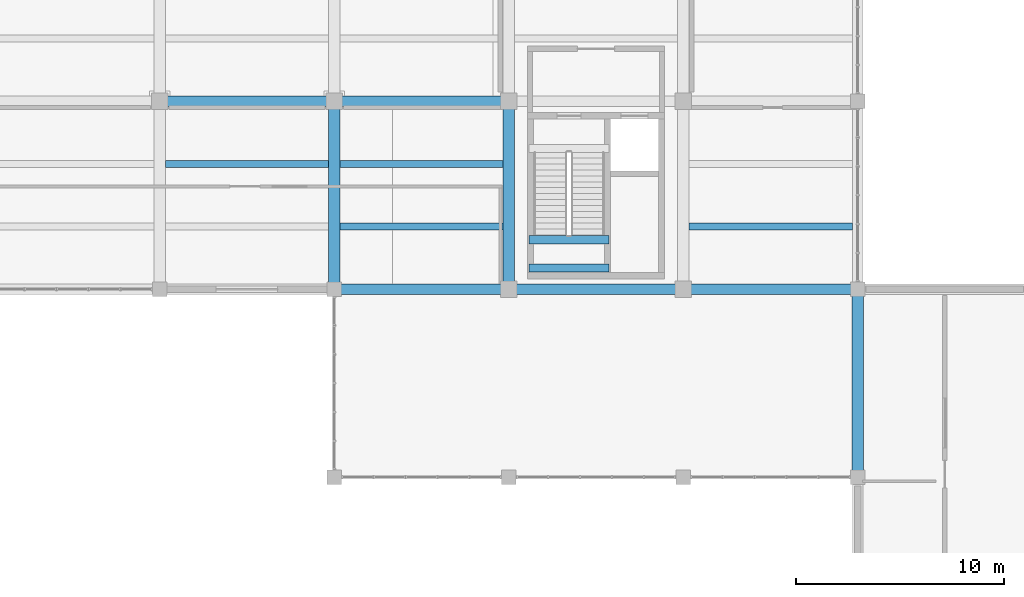
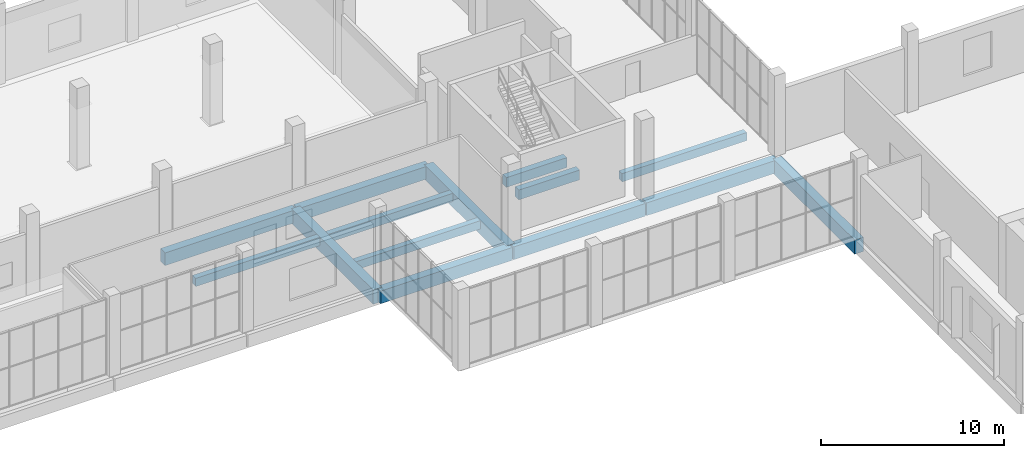
# One storey, part 54 of 91: 14 beams.
"""IFC4 building model written with IfcOpenShell, lengths in metres."""

from ifc_helpers import new_model, si_unit, direction, frame, origin, origin_2d, place, context, subcontext, project, spatial, rectangle, extrude, material, material_profile, profile_set, type_object, element, save


model = new_model("IFC4")

# Units and contexts
model_context = context("Model", 3, precision=1e-05, world=origin(), true_north=direction((0.0, 1.0)))
body_context = subcontext(model_context, "Body", "Model", "MODEL_VIEW")
ifc_project = project(units=[si_unit("LENGTHUNIT", "METRE"), si_unit("AREAUNIT", "SQUARE_METRE"), si_unit("VOLUMEUNIT", "CUBIC_METRE"), si_unit("PLANEANGLEUNIT", "RADIAN"), si_unit("MASSUNIT", "GRAM", prefix="KILO")], contexts=[model_context])

# Site, building, storey
site_placement = place(None, origin())
site = spatial("IfcSite", under=ifc_project, at=site_placement, CompositionType="ELEMENT")
building_placement = place(site_placement, origin())
building = spatial("IfcBuilding", under=site, at=building_placement, Name="Khurvash Pelagic Aquarium", CompositionType="ELEMENT")
storey_placement = place(building_placement, origin())
storey = spatial("IfcBuildingStorey", under=building, at=storey_placement, Name="L00", CompositionType="ELEMENT", Elevation=0.0)

# Beams
ifc_material_1 = material(Name="Concrete C40/50", Category="concrete")
ifc_material_profile_1 = material_profile(ifc_material_1, rectangle(XDim=0.550048828125, YDim=0.949951171875, at=origin_2d()), Name="RC550X950")
ifc_profile_set_1 = profile_set([ifc_material_profile_1], Name="Concrete C40/50")
beam_type_1 = type_object("IfcBeamType", Name="BM-02", PredefinedType="BEAM", material=ifc_profile_set_1)
for number, where, z_axis, x_axis, name in (
    (1, (100.800048828125, 84.090087890625, -0.794921875), (0.0, 1.0, 0.0), (-1.0, 0.0, 0.0), "L00 Primary Girder BM-02 00129"),
    (2, (109.199951171875, 84.090087890625, -0.794921875), (0.0, 1.0, 0.0), (-1.0, 0.0, 0.0), "L00 Primary Girder BM-02 00133"),
    (3, (126.0, 75.0400390625, -0.794921875), (0.0, 1.0, 0.0), (-1.0, 0.0, 0.0), "L00 Primary Girder BM-02 00142"),
):
    element("IfcBeam", number, at=place(storey_placement, frame(where, z_axis=z_axis, x_axis=x_axis)), inside=storey, type_object=beam_type_1, Name=name, PredefinedType="BEAM", context=body_context, shape_type="SweptSolid", body=[
        extrude(rectangle(XDim=0.550048828125, YDim=0.949951171875, at=origin_2d()), origin(), (0.0, 0.0, 1.0), 8.969970703125),
    ])
ifc_material_profile_2 = material_profile(ifc_material_1, rectangle(XDim=0.5, YDim=0.85009765625, at=origin_2d()), Name="RC500X850")
ifc_profile_set_2 = profile_set([ifc_material_profile_2], Name="Concrete C40/50")
beam_type_2 = type_object("IfcBeamType", Name="BM-03", PredefinedType="BEAM", material=ifc_profile_set_2)
beam_1_placement = place(storey_placement, frame((100.840087890625, 84.050048828125, -0.7451171875), z_axis=(1.0, 0.0, 0.0), x_axis=(0.0, 1.0, 0.0)))
element("IfcBeam", 4, at=beam_1_placement, inside=storey, type_object=beam_type_2, Name="L00 Primary Girder BM-03 00055", PredefinedType="BEAM", context=body_context, shape_type="SweptSolid", body=[
    extrude(rectangle(XDim=0.5, YDim=0.85009765625, at=origin_2d()), origin(), (0.0, 0.0, 1.0), 8.31982421875),
])
for number, where, z_axis, x_axis, name in (
    (5, (109.239990234375, 84.050048828125, -0.7451171875), (1.0, 0.0, 0.0), (0.0, 1.0, 0.0), "L00 Primary Girder BM-03 00056"),
    (6, (117.639892578125, 84.050048828125, -0.7451171875), (1.0, 0.0, 0.0), (0.0, 1.0, 0.0), "L00 Primary Girder BM-03 00057"),
    (7, (92.43994140625, 93.10009765625, -0.7451171875), (1.0, 0.0, 0.0), (0.0, 1.0, 0.0), "L00 Primary Girder BM-03 00066"),
):
    element("IfcBeam", number, at=place(storey_placement, frame(where, z_axis=z_axis, x_axis=x_axis)), inside=storey, type_object=beam_type_2, Name=name, PredefinedType="BEAM", context=body_context, shape_type="SweptSolid", body=[
        extrude(rectangle(XDim=0.5, YDim=0.85009765625, at=origin_2d()), origin(), (0.0, 0.0, 1.0), 8.320068359375),
    ])
beam_2_placement = place(storey_placement, frame((100.840087890625, 93.10009765625, -0.7451171875), z_axis=(1.0, 0.0, 0.0), x_axis=(0.0, 1.0, 0.0)))
element("IfcBeam", 8, at=beam_2_placement, inside=storey, type_object=beam_type_2, Name="L00 Primary Girder BM-03 00067", PredefinedType="BEAM", context=body_context, shape_type="SweptSolid", body=[
    extrude(rectangle(XDim=0.5, YDim=0.85009765625, at=origin_2d()), origin(), (0.0, 0.0, 1.0), 8.31982421875),
])
ifc_material_2 = material(Name="Concrete C35/45", Category="concrete")
ifc_material_profile_3 = material_profile(ifc_material_2, rectangle(XDim=0.39990234375, YDim=0.64990234375, at=origin_2d()), Name="RC400X650")
ifc_profile_set_3 = profile_set([ifc_material_profile_3], Name="Concrete C35/45")
beam_type_3 = type_object("IfcBeamType", Name="BM-05", PredefinedType="BEAM", material=ifc_profile_set_3)
for number, where, z_axis, x_axis, name in (
    (9, (110.179931640625, 85.070068359375, 2.175048828125), (1.0, 0.0, 0.0), (0.0, 1.0, 0.0), "L00 Stair ST-06 Mid-Landing Trimmer Beam BM-05"),
    (10, (110.179931640625, 86.43994140625, 2.175048828125), (1.0, 0.0, 0.0), (0.0, 1.0, 0.0), "L00 Stair ST-06 Mid-Landing Trimmer Beam BM-05"),
):
    element("IfcBeam", number, at=place(storey_placement, frame(where, z_axis=z_axis, x_axis=x_axis)), inside=storey, type_object=beam_type_3, Name=name, PredefinedType="BEAM", context=body_context, shape_type="SweptSolid", body=[
        extrude(rectangle(XDim=0.39990234375, YDim=0.64990234375, at=origin_2d()), origin(), (0.0, 0.0, 1.0), 3.840087890625),
    ])
ifc_material_profile_4 = material_profile(ifc_material_2, rectangle(XDim=0.35009765625, YDim=0.550048828125, at=origin_2d()), Name="RC350X550")
ifc_profile_set_4 = profile_set([ifc_material_profile_4], Name="Concrete C35/45")
beam_type_4 = type_object("IfcBeamType", Name="JS-01", PredefinedType="JOIST", material=ifc_profile_set_4)
beam_3_placement = place(storey_placement, frame((92.675048828125, 90.0830078125, -0.594970703125), z_axis=(1.0, 0.0, 0.0), x_axis=(0.0, 1.0, 0.0)))
element("IfcBeam", 11, at=beam_3_placement, inside=storey, type_object=beam_type_4, Name="L00 Floor Joist JS-01 00224", PredefinedType="JOIST", context=body_context, shape_type="SweptSolid", body=[
    extrude(rectangle(XDim=0.35009765625, YDim=0.550048828125, at=origin_2d()), origin(), (0.0, 0.0, 1.0), 7.849853515625),
])
for number, where, z_axis, x_axis, name in (
    (12, (101.074951171875, 87.06689453125, -0.594970703125), (1.0, 0.0, 0.0), (0.0, 1.0, 0.0), "L00 Floor Joist JS-01 00231"),
    (13, (101.074951171875, 90.0830078125, -0.594970703125), (1.0, 0.0, 0.0), (0.0, 1.0, 0.0), "L00 Floor Joist JS-01 00232"),
):
    element("IfcBeam", number, at=place(storey_placement, frame(where, z_axis=z_axis, x_axis=x_axis)), inside=storey, type_object=beam_type_4, Name=name, PredefinedType="JOIST", context=body_context, shape_type="SweptSolid", body=[
        extrude(rectangle(XDim=0.35009765625, YDim=0.550048828125, at=origin_2d()), origin(), (0.0, 0.0, 1.0), 7.85009765625),
    ])
beam_4_placement = place(storey_placement, frame((117.875, 87.06689453125, -0.594970703125), z_axis=(1.0, 0.0, 0.0), x_axis=(0.0, 1.0, 0.0)))
element("IfcBeam", 14, at=beam_4_placement, inside=storey, type_object=beam_type_4, Name="L00 Floor Joist JS-01 00237", PredefinedType="JOIST", context=body_context, shape_type="SweptSolid", body=[
    extrude(rectangle(XDim=0.35009765625, YDim=0.550048828125, at=origin_2d()), origin(), (0.0, 0.0, 1.0), 7.875),
])

save(model, "model.ifc")
